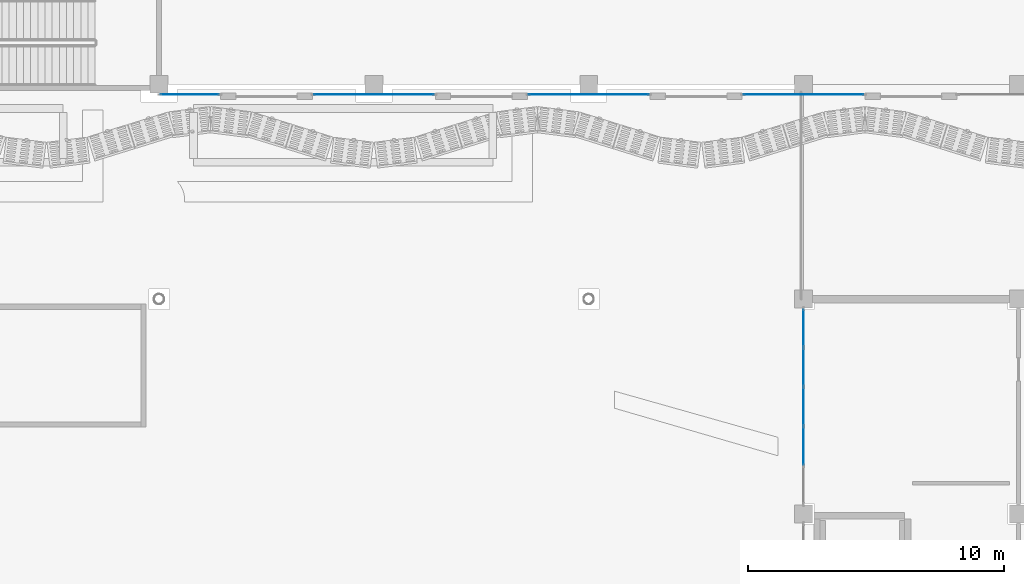
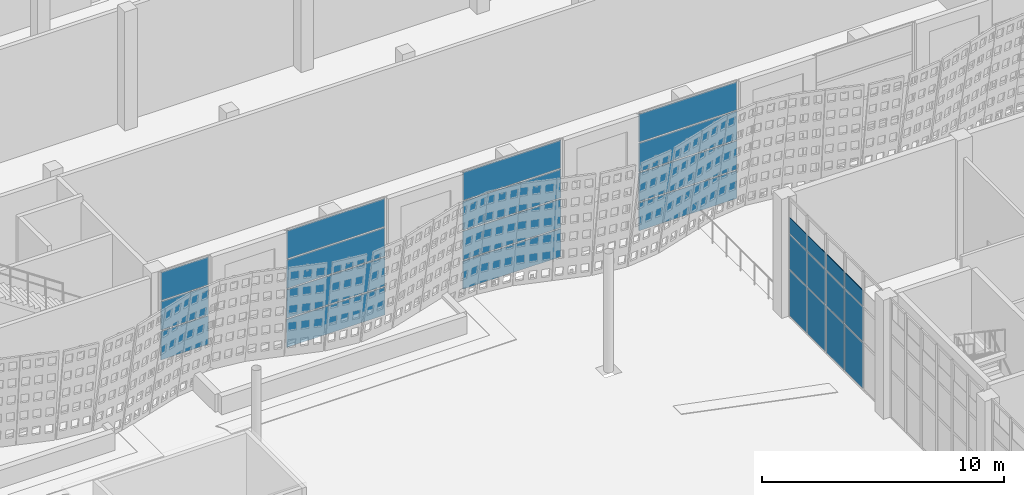
# One storey, part 90 of 210: 27 plates, 5 elements without a shape of their own.
"""IFC4 building model written with IfcOpenShell, lengths in metres."""

from ifc_helpers import new_model, si_unit, direction, frame, origin, origin_2d, place, context, subcontext, project, spatial, rectangle, extrude, material, layer, layer_set, type_object, element, aggregate, save


model = new_model("IFC4")

# Units and contexts
model_context = context("Model", 3, precision=1e-05, world=origin(), true_north=direction((0.0, 1.0)))
body_context = subcontext(model_context, "Body", "Model", "MODEL_VIEW")
ifc_project = project(units=[si_unit("LENGTHUNIT", "METRE"), si_unit("AREAUNIT", "SQUARE_METRE"), si_unit("VOLUMEUNIT", "CUBIC_METRE"), si_unit("PLANEANGLEUNIT", "RADIAN"), si_unit("MASSUNIT", "GRAM", prefix="KILO")], contexts=[model_context])

# Site, building, storey
site_placement = place(None, origin())
site = spatial("IfcSite", under=ifc_project, at=site_placement, CompositionType="ELEMENT")
building_placement = place(site_placement, origin())
building = spatial("IfcBuilding", under=site, at=building_placement, Name="Rain Tree Exposition and Congress Centre", CompositionType="ELEMENT")
storey_placement = place(building_placement, origin())
storey = spatial("IfcBuildingStorey", under=building, at=storey_placement, Name="L00", CompositionType="ELEMENT", Elevation=0.0)

# Curtain wall, plates
ifc_material_1 = material(Name="Aluminium curtain wall system", Category="aluminium")
ifc_layer_1 = layer(ifc_material_1, 0.10009765625)
ifc_layer_set_1 = layer_set([ifc_layer_1], Name="Aluminium curtain wall system")
curtain_wall_type_1 = type_object("IfcCurtainWallType", Name="Concourse curtain wall 4200 module", PredefinedType="NOTDEFINED", material=ifc_layer_set_1)
curtain_wall_1_placement = place(storey_placement, origin())
curtain_wall_1 = element("IfcCurtainWall", 1, at=curtain_wall_1_placement, inside=storey, type_object=curtain_wall_type_1, Name="Concourse curtain wall CWC10", PredefinedType="NOTDEFINED")
ifc_material_2 = material(Name="Laminated low-e glass", Category="glass")
ifc_layer_2 = layer(ifc_material_2, 0.028076171875)
ifc_layer_set_2 = layer_set([ifc_layer_2], Name="Laminated low-e glass")
plate_type_1 = type_object("IfcPlateType", Name="Concourse curtain wall glass panel 28", PredefinedType="CURTAIN_PANEL", material=ifc_layer_set_2)
plate_1_placement = place(storey_placement, frame((127.199951171875, 75.199951171875, 1.530029296875), z_axis=(0.0, 0.0, 1.0), x_axis=(1.0, 0.0, 0.0)))
plate_1 = element("IfcPlate", 2, at=plate_1_placement, type_object=plate_type_1, Name="CWC10 panel 1.2", PredefinedType="CURTAIN_PANEL", context=body_context, shape_type="SweptSolid", body=[
    extrude(rectangle(XDim=2.280029296875, YDim=0.028076171875, at=origin_2d()), origin(), (0.0, 0.0, 1.0), 1.43994140625),
])
plate_2_placement = place(storey_placement, frame((127.199951171875, 75.199951171875, 3.030029296875), z_axis=(0.0, 0.0, 1.0), x_axis=(1.0, 0.0, 0.0)))
plate_2 = element("IfcPlate", 3, at=plate_2_placement, type_object=plate_type_1, Name="CWC10 panel 1.3", PredefinedType="CURTAIN_PANEL", context=body_context, shape_type="SweptSolid", body=[
    extrude(rectangle(XDim=2.280029296875, YDim=0.028076171875, at=origin_2d()), origin(), (0.0, 0.0, 1.0), 1.43994140625),
])
plate_3_placement = place(storey_placement, frame((127.199951171875, 75.199951171875, 4.5302734375), z_axis=(0.0, 0.0, 1.0), x_axis=(1.0, 0.0, 0.0)))
plate_3 = element("IfcPlate", 4, at=plate_3_placement, type_object=plate_type_1, Name="CWC10 panel 1.4", PredefinedType="CURTAIN_PANEL", context=body_context, shape_type="SweptSolid", body=[
    extrude(rectangle(XDim=2.280029296875, YDim=0.028076171875, at=origin_2d()), origin(), (0.0, 0.0, 1.0), 1.409912109375),
])
aggregate(curtain_wall_1, [plate_1, plate_2, plate_3])

curtain_wall_2_placement = place(storey_placement, origin())
curtain_wall_2 = element("IfcCurtainWall", 5, at=curtain_wall_2_placement, inside=storey, type_object=curtain_wall_type_1, Name="Concourse curtain wall CWC11", PredefinedType="NOTDEFINED")
plate_4_placement = place(storey_placement, frame((134.39990234375, 75.199951171875, 0.06005859375), z_axis=(0.0, 0.0, 1.0), x_axis=(1.0, 0.0, 0.0)))
plate_4 = element("IfcPlate", 6, at=plate_4_placement, type_object=plate_type_1, Name="CWC11 panel 1.1", PredefinedType="CURTAIN_PANEL", context=body_context, shape_type="SweptSolid", body=[
    extrude(rectangle(XDim=4.679931640625, YDim=0.028076171875, at=origin_2d()), origin(), (0.0, 0.0, 1.0), 1.409912109375),
])
plate_5_placement = place(storey_placement, frame((134.39990234375, 75.199951171875, 1.530029296875), z_axis=(0.0, 0.0, 1.0), x_axis=(1.0, 0.0, 0.0)))
plate_5 = element("IfcPlate", 7, at=plate_5_placement, type_object=plate_type_1, Name="CWC11 panel 1.2", PredefinedType="CURTAIN_PANEL", context=body_context, shape_type="SweptSolid", body=[
    extrude(rectangle(XDim=4.679931640625, YDim=0.028076171875, at=origin_2d()), origin(), (0.0, 0.0, 1.0), 1.43994140625),
])
plate_6_placement = place(storey_placement, frame((134.39990234375, 75.199951171875, 3.030029296875), z_axis=(0.0, 0.0, 1.0), x_axis=(1.0, 0.0, 0.0)))
plate_6 = element("IfcPlate", 8, at=plate_6_placement, type_object=plate_type_1, Name="CWC11 panel 1.3", PredefinedType="CURTAIN_PANEL", context=body_context, shape_type="SweptSolid", body=[
    extrude(rectangle(XDim=4.679931640625, YDim=0.028076171875, at=origin_2d()), origin(), (0.0, 0.0, 1.0), 1.43994140625),
])
plate_7_placement = place(storey_placement, frame((134.39990234375, 75.199951171875, 4.5302734375), z_axis=(0.0, 0.0, 1.0), x_axis=(1.0, 0.0, 0.0)))
plate_7 = element("IfcPlate", 9, at=plate_7_placement, type_object=plate_type_1, Name="CWC11 panel 1.4", PredefinedType="CURTAIN_PANEL", context=body_context, shape_type="SweptSolid", body=[
    extrude(rectangle(XDim=4.679931640625, YDim=0.028076171875, at=origin_2d()), origin(), (0.0, 0.0, 1.0), 1.409912109375),
])
aggregate(curtain_wall_2, [plate_4, plate_5, plate_6, plate_7])

curtain_wall_3_placement = place(storey_placement, origin())
curtain_wall_3 = element("IfcCurtainWall", 10, at=curtain_wall_3_placement, inside=storey, type_object=curtain_wall_type_1, Name="Concourse curtain wall CWC12", PredefinedType="NOTDEFINED")
plate_8_placement = place(storey_placement, frame((142.800048828125, 75.199951171875, 0.06005859375), z_axis=(0.0, 0.0, 1.0), x_axis=(1.0, 0.0, 0.0)))
plate_8 = element("IfcPlate", 11, at=plate_8_placement, type_object=plate_type_1, Name="CWC12 panel 1.1", PredefinedType="CURTAIN_PANEL", context=body_context, shape_type="SweptSolid", body=[
    extrude(rectangle(XDim=4.679931640625, YDim=0.028076171875, at=origin_2d()), origin(), (0.0, 0.0, 1.0), 1.409912109375),
])
plate_9_placement = place(storey_placement, frame((142.800048828125, 75.199951171875, 1.530029296875), z_axis=(0.0, 0.0, 1.0), x_axis=(1.0, 0.0, 0.0)))
plate_9 = element("IfcPlate", 12, at=plate_9_placement, type_object=plate_type_1, Name="CWC12 panel 1.2", PredefinedType="CURTAIN_PANEL", context=body_context, shape_type="SweptSolid", body=[
    extrude(rectangle(XDim=4.679931640625, YDim=0.028076171875, at=origin_2d()), origin(), (0.0, 0.0, 1.0), 1.43994140625),
])
plate_10_placement = place(storey_placement, frame((142.800048828125, 75.199951171875, 3.030029296875), z_axis=(0.0, 0.0, 1.0), x_axis=(1.0, 0.0, 0.0)))
plate_10 = element("IfcPlate", 13, at=plate_10_placement, type_object=plate_type_1, Name="CWC12 panel 1.3", PredefinedType="CURTAIN_PANEL", context=body_context, shape_type="SweptSolid", body=[
    extrude(rectangle(XDim=4.679931640625, YDim=0.028076171875, at=origin_2d()), origin(), (0.0, 0.0, 1.0), 1.43994140625),
])
plate_11_placement = place(storey_placement, frame((142.800048828125, 75.199951171875, 4.5302734375), z_axis=(0.0, 0.0, 1.0), x_axis=(1.0, 0.0, 0.0)))
plate_11 = element("IfcPlate", 14, at=plate_11_placement, type_object=plate_type_1, Name="CWC12 panel 1.4", PredefinedType="CURTAIN_PANEL", context=body_context, shape_type="SweptSolid", body=[
    extrude(rectangle(XDim=4.679931640625, YDim=0.028076171875, at=origin_2d()), origin(), (0.0, 0.0, 1.0), 1.409912109375),
])
aggregate(curtain_wall_3, [plate_8, plate_9, plate_10, plate_11])

curtain_wall_4_placement = place(storey_placement, origin())
curtain_wall_4 = element("IfcCurtainWall", 15, at=curtain_wall_4_placement, inside=storey, type_object=curtain_wall_type_1, Name="Concourse curtain wall CWC13", PredefinedType="NOTDEFINED")
plate_12_placement = place(storey_placement, frame((151.199951171875, 75.199951171875, 0.06005859375), z_axis=(0.0, 0.0, 1.0), x_axis=(1.0, 0.0, 0.0)))
plate_12 = element("IfcPlate", 16, at=plate_12_placement, type_object=plate_type_1, Name="CWC13 panel 1.1", PredefinedType="CURTAIN_PANEL", context=body_context, shape_type="SweptSolid", body=[
    extrude(rectangle(XDim=4.679931640625, YDim=0.028076171875, at=origin_2d()), origin(), (0.0, 0.0, 1.0), 1.409912109375),
])
plate_13_placement = place(storey_placement, frame((151.199951171875, 75.199951171875, 1.530029296875), z_axis=(0.0, 0.0, 1.0), x_axis=(1.0, 0.0, 0.0)))
plate_13 = element("IfcPlate", 17, at=plate_13_placement, type_object=plate_type_1, Name="CWC13 panel 1.2", PredefinedType="CURTAIN_PANEL", context=body_context, shape_type="SweptSolid", body=[
    extrude(rectangle(XDim=4.679931640625, YDim=0.028076171875, at=origin_2d()), origin(), (0.0, 0.0, 1.0), 1.43994140625),
])
plate_14_placement = place(storey_placement, frame((151.199951171875, 75.199951171875, 3.030029296875), z_axis=(0.0, 0.0, 1.0), x_axis=(1.0, 0.0, 0.0)))
plate_14 = element("IfcPlate", 18, at=plate_14_placement, type_object=plate_type_1, Name="CWC13 panel 1.3", PredefinedType="CURTAIN_PANEL", context=body_context, shape_type="SweptSolid", body=[
    extrude(rectangle(XDim=4.679931640625, YDim=0.028076171875, at=origin_2d()), origin(), (0.0, 0.0, 1.0), 1.43994140625),
])
plate_15_placement = place(storey_placement, frame((151.199951171875, 75.199951171875, 4.5302734375), z_axis=(0.0, 0.0, 1.0), x_axis=(1.0, 0.0, 0.0)))
plate_15 = element("IfcPlate", 19, at=plate_15_placement, type_object=plate_type_1, Name="CWC13 panel 1.4", PredefinedType="CURTAIN_PANEL", context=body_context, shape_type="SweptSolid", body=[
    extrude(rectangle(XDim=4.679931640625, YDim=0.028076171875, at=origin_2d()), origin(), (0.0, 0.0, 1.0), 1.409912109375),
])
aggregate(curtain_wall_4, [plate_12, plate_13, plate_14, plate_15])

ifc_material_3 = material(Name="Aluminium", Category="aluminium")
ifc_layer_3 = layer(ifc_material_3, 0.10009765625)
ifc_layer_set_3 = layer_set([ifc_layer_3], Name="Aluminium")
curtain_wall_type_2 = type_object("IfcCurtainWallType", Name="Curtain wall congress", PredefinedType="NOTDEFINED", material=ifc_layer_set_3)
curtain_wall_5_placement = place(storey_placement, origin())
curtain_wall_5 = element("IfcCurtainWall", 20, at=curtain_wall_5_placement, inside=storey, type_object=curtain_wall_type_2, Name="Foyer curtain wall L00 bay 7", PredefinedType="NOTDEFINED")
ifc_material_4 = material(Name="Double glazed unit", Category="glass")
ifc_layer_4 = layer(ifc_material_4, 0.028076171875)
ifc_layer_set_4 = layer_set([ifc_layer_4], Name="Double glazed unit")
plate_type_2 = type_object("IfcPlateType", Name="Glazing panel 28 congress", PredefinedType="CURTAIN_PANEL", material=ifc_layer_set_4)
plate_16_placement = place(storey_placement, frame((151.199951171875, 61.4599609375, 0.06005859375), z_axis=(0.0, 0.0, 1.0), x_axis=(0.0, 1.0, 0.0)))
plate_16 = element("IfcPlate", 21, at=plate_16_placement, type_object=plate_type_2, Name="CWG307 panel 2.1", PredefinedType="CURTAIN_PANEL", context=body_context, shape_type="SweptSolid", body=[
    extrude(rectangle(XDim=1.47998046875, YDim=0.028076171875, at=origin_2d()), origin(), (0.0, 0.0, 1.0), 2.31005859375),
])
plate_17_placement = place(storey_placement, frame((151.199951171875, 61.4599609375, 2.43017578125), z_axis=(0.0, 0.0, 1.0), x_axis=(0.0, 1.0, 0.0)))
plate_17 = element("IfcPlate", 22, at=plate_17_placement, type_object=plate_type_2, Name="CWG307 panel 2.2", PredefinedType="CURTAIN_PANEL", context=body_context, shape_type="SweptSolid", body=[
    extrude(rectangle(XDim=1.47998046875, YDim=0.028076171875, at=origin_2d()), origin(), (0.0, 0.0, 1.0), 1.739990234375),
])
plate_18_placement = place(storey_placement, frame((151.199951171875, 61.4599609375, 4.22998046875), z_axis=(0.0, 0.0, 1.0), x_axis=(0.0, 1.0, 0.0)))
plate_18 = element("IfcPlate", 23, at=plate_18_placement, type_object=plate_type_2, Name="CWG307 panel 2.3", PredefinedType="CURTAIN_PANEL", context=body_context, shape_type="SweptSolid", body=[
    extrude(rectangle(XDim=1.47998046875, YDim=0.028076171875, at=origin_2d()), origin(), (0.0, 0.0, 1.0), 0.7900390625),
])
plate_19_placement = place(storey_placement, frame((151.199951171875, 63.0, 0.06005859375), z_axis=(0.0, 0.0, 1.0), x_axis=(0.0, 1.0, 0.0)))
plate_19 = element("IfcPlate", 24, at=plate_19_placement, type_object=plate_type_2, Name="CWG307 panel 3.1", PredefinedType="CURTAIN_PANEL", context=body_context, shape_type="SweptSolid", body=[
    extrude(rectangle(XDim=1.47998046875, YDim=0.028076171875, at=origin_2d()), origin(), (0.0, 0.0, 1.0), 2.31005859375),
])
plate_20_placement = place(storey_placement, frame((151.199951171875, 63.0, 2.43017578125), z_axis=(0.0, 0.0, 1.0), x_axis=(0.0, 1.0, 0.0)))
plate_20 = element("IfcPlate", 25, at=plate_20_placement, type_object=plate_type_2, Name="CWG307 panel 3.2", PredefinedType="CURTAIN_PANEL", context=body_context, shape_type="SweptSolid", body=[
    extrude(rectangle(XDim=1.47998046875, YDim=0.028076171875, at=origin_2d()), origin(), (0.0, 0.0, 1.0), 1.739990234375),
])
plate_21_placement = place(storey_placement, frame((151.199951171875, 63.0, 4.22998046875), z_axis=(0.0, 0.0, 1.0), x_axis=(0.0, 1.0, 0.0)))
plate_21 = element("IfcPlate", 26, at=plate_21_placement, type_object=plate_type_2, Name="CWG307 panel 3.3", PredefinedType="CURTAIN_PANEL", context=body_context, shape_type="SweptSolid", body=[
    extrude(rectangle(XDim=1.47998046875, YDim=0.028076171875, at=origin_2d()), origin(), (0.0, 0.0, 1.0), 0.7900390625),
])
plate_22_placement = place(storey_placement, frame((151.199951171875, 64.5400390625, 0.06005859375), z_axis=(0.0, 0.0, 1.0), x_axis=(0.0, 1.0, 0.0)))
plate_22 = element("IfcPlate", 27, at=plate_22_placement, type_object=plate_type_2, Name="CWG307 panel 4.1", PredefinedType="CURTAIN_PANEL", context=body_context, shape_type="SweptSolid", body=[
    extrude(rectangle(XDim=1.47998046875, YDim=0.028076171875, at=origin_2d()), origin(), (0.0, 0.0, 1.0), 2.31005859375),
])
plate_23_placement = place(storey_placement, frame((151.199951171875, 64.5400390625, 2.43017578125), z_axis=(0.0, 0.0, 1.0), x_axis=(0.0, 1.0, 0.0)))
plate_23 = element("IfcPlate", 28, at=plate_23_placement, type_object=plate_type_2, Name="CWG307 panel 4.2", PredefinedType="CURTAIN_PANEL", context=body_context, shape_type="SweptSolid", body=[
    extrude(rectangle(XDim=1.47998046875, YDim=0.028076171875, at=origin_2d()), origin(), (0.0, 0.0, 1.0), 1.739990234375),
])
plate_24_placement = place(storey_placement, frame((151.199951171875, 64.5400390625, 4.22998046875), z_axis=(0.0, 0.0, 1.0), x_axis=(0.0, 1.0, 0.0)))
plate_24 = element("IfcPlate", 29, at=plate_24_placement, type_object=plate_type_2, Name="CWG307 panel 4.3", PredefinedType="CURTAIN_PANEL", context=body_context, shape_type="SweptSolid", body=[
    extrude(rectangle(XDim=1.47998046875, YDim=0.028076171875, at=origin_2d()), origin(), (0.0, 0.0, 1.0), 0.7900390625),
])
plate_25_placement = place(storey_placement, frame((151.199951171875, 66.06494140625, 0.06005859375), z_axis=(0.0, 0.0, 1.0), x_axis=(0.0, 1.0, 0.0)))
plate_25 = element("IfcPlate", 30, at=plate_25_placement, type_object=plate_type_2, Name="CWG307 panel 5.1", PredefinedType="CURTAIN_PANEL", context=body_context, shape_type="SweptSolid", body=[
    extrude(rectangle(XDim=1.449951171875, YDim=0.028076171875, at=origin_2d()), origin(), (0.0, 0.0, 1.0), 2.31005859375),
])
plate_26_placement = place(storey_placement, frame((151.199951171875, 66.06494140625, 2.43017578125), z_axis=(0.0, 0.0, 1.0), x_axis=(0.0, 1.0, 0.0)))
plate_26 = element("IfcPlate", 31, at=plate_26_placement, type_object=plate_type_2, Name="CWG307 panel 5.2", PredefinedType="CURTAIN_PANEL", context=body_context, shape_type="SweptSolid", body=[
    extrude(rectangle(XDim=1.449951171875, YDim=0.028076171875, at=origin_2d()), origin(), (0.0, 0.0, 1.0), 1.739990234375),
])
plate_27_placement = place(storey_placement, frame((151.199951171875, 66.06494140625, 4.22998046875), z_axis=(0.0, 0.0, 1.0), x_axis=(0.0, 1.0, 0.0)))
plate_27 = element("IfcPlate", 32, at=plate_27_placement, type_object=plate_type_2, Name="CWG307 panel 5.3", PredefinedType="CURTAIN_PANEL", context=body_context, shape_type="SweptSolid", body=[
    extrude(rectangle(XDim=1.449951171875, YDim=0.028076171875, at=origin_2d()), origin(), (0.0, 0.0, 1.0), 0.7900390625),
])
aggregate(curtain_wall_5, [plate_16, plate_17, plate_18, plate_19, plate_20, plate_21, plate_22, plate_23, plate_24, plate_25, plate_26, plate_27])

save(model, "model.ifc")
